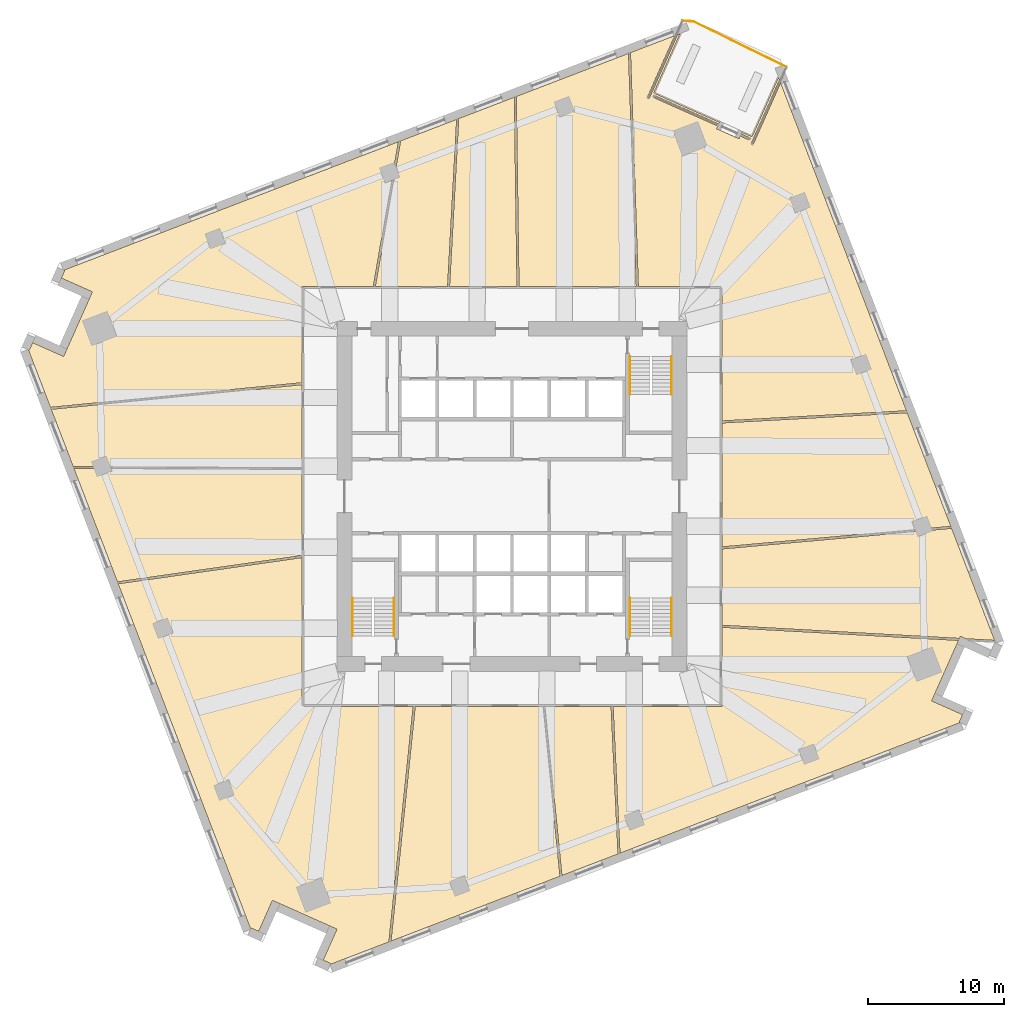
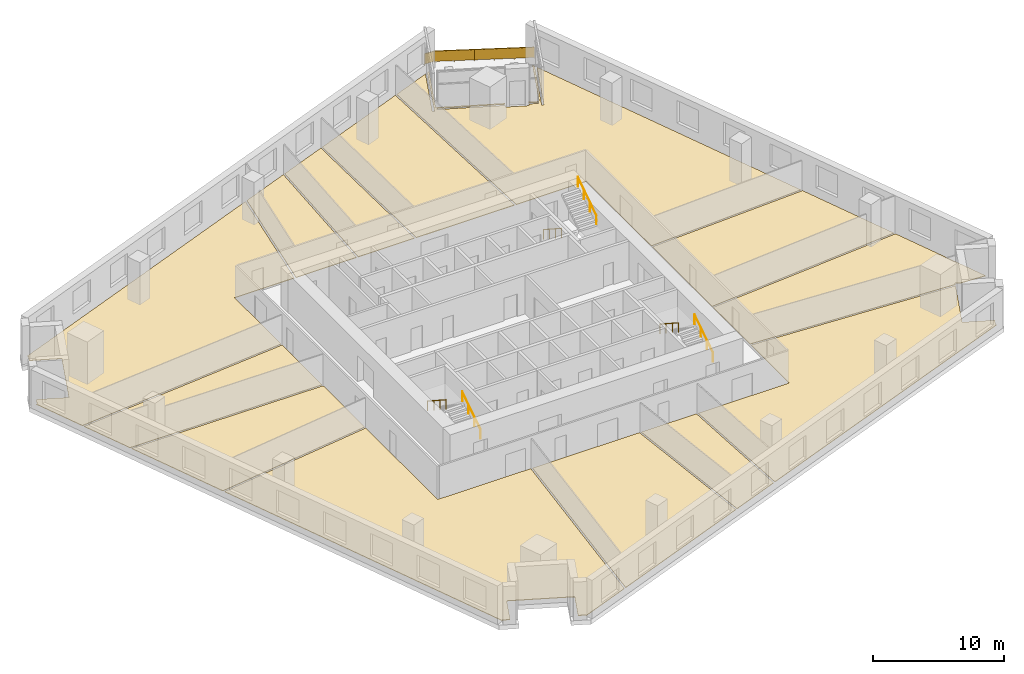
# One storey, part 13 of 14: 13 coverings, 7 railings.
"""IFC4 building model written with IfcOpenShell, lengths in metres."""

from ifc_helpers import new_model, si_unit, direction, frame, origin, origin_2d, place, context, subcontext, project, spatial, polyline, rectangle, circle, outline, extrude, material, layer, layer_set, type_object, element, save


model = new_model("IFC4")

# Units and contexts
model_context = context("Model", 3, precision=1e-05, world=origin(), true_north=direction((0.0, 1.0)))
body_context = subcontext(model_context, "Body", "Model", "MODEL_VIEW")
ifc_project = project(units=[si_unit("LENGTHUNIT", "METRE"), si_unit("AREAUNIT", "SQUARE_METRE"), si_unit("VOLUMEUNIT", "CUBIC_METRE"), si_unit("PLANEANGLEUNIT", "RADIAN"), si_unit("MASSUNIT", "GRAM", prefix="KILO")], contexts=[model_context])

# Site, building, storey
site_placement = place(None, origin())
site = spatial("IfcSite", under=ifc_project, at=site_placement, CompositionType="ELEMENT")
building_placement = place(site_placement, origin())
building = spatial("IfcBuilding", under=site, at=building_placement, Name="Dilmun Exchange Tower", CompositionType="ELEMENT")
storey_placement = place(building_placement, frame((0.0, 0.0, 106.10009765625)))
storey = spatial("IfcBuildingStorey", under=building, at=storey_placement, Name="L24", CompositionType="ELEMENT", Elevation=106.10009765625)

# Coverings
ifc_material_1 = material(Name="Carpet floor finish 50")
ifc_layer_1 = layer(ifc_material_1, 0.050048828125)
ifc_layer_set_1 = layer_set([ifc_layer_1], Name="Carpet floor finish 50")
covering_type_1 = type_object("IfcCoveringType", Name="Carpet floor finish 50", PredefinedType="FLOORING", material=ifc_layer_set_1)
covering_1_placement = place(storey_placement, origin())
element("IfcCovering", 1, at=covering_1_placement, inside=storey, type_object=covering_type_1, Name="Carpet floor finish 50 Break-out lounge 1", PredefinedType="FLOORING", context=body_context, shape_type="SweptSolid", body=[
    extrude(outline(polyline([(-15.47509765625, 1.974609375), (-15.47509765625, -4.361083984375), (-29.07177734375, -6.298583984375), (-32.278076171875, 2.05419921875), (-15.47509765625, 1.974609375)])), origin(), (0.0, 0.0, 1.0), 0.0498046875),
])
covering_2_placement = place(storey_placement, origin())
element("IfcCovering", 2, at=covering_2_placement, inside=storey, type_object=covering_type_1, Name="Carpet floor finish 50 Open office 1", PredefinedType="FLOORING", context=body_context, shape_type="SweptSolid", body=[
    extrude(outline(polyline([(-10.220947265625, 15.47509765625), (-15.47509765625, 15.47509765625), (-15.47509765625, 8.377197265625), (-34.0078125, 6.56005859375), (-35.635498046875, 10.800537109375), (-35.570556640625, 10.771728515625), (-35.570556640625, 10.771484375), (-35.5703125, 10.771484375), (-35.570068359375, 10.771484375), (-35.56982421875, 10.771484375), (-35.569580078125, 10.771484375), (-35.569580078125, 10.771484375), (-35.5693359375, 10.771484375), (-35.569091796875, 10.771484375), (-35.56884765625, 10.771728515625), (-35.56884765625, 10.771728515625), (-35.568603515625, 10.77197265625), (-35.568603515625, 10.77197265625), (-35.568359375, 10.772216796875), (-35.568115234375, 10.772216796875), (-35.568115234375, 10.7724609375), (-35.568115234375, 10.772705078125), (-35.3203125, 11.329345703125), (-33.0380859375, 10.313232421875), (-33.0380859375, 10.31298828125), (-33.037841796875, 10.31298828125), (-33.03759765625, 10.31298828125), (-33.037353515625, 10.31298828125), (-33.037109375, 10.31298828125), (-33.037109375, 10.31298828125), (-33.036865234375, 10.31298828125), (-33.03662109375, 10.313232421875), (-33.036376953125, 10.313232421875), (-33.036376953125, 10.313232421875), (-33.0361328125, 10.3134765625), (-33.035888671875, 10.313720703125), (-33.035888671875, 10.313720703125), (-33.03564453125, 10.31396484375), (-33.03564453125, 10.31396484375), (-33.035400390625, 10.314208984375), (-32.79150390625, 10.8623046875), (-32.79150390625, 10.862548828125), (-32.791259765625, 10.86279296875), (-32.791259765625, 10.86279296875), (-31.16455078125, 14.5166015625), (-31.164306640625, 14.5166015625), (-31.164306640625, 14.516845703125), (-31.164306640625, 14.51708984375), (-31.164306640625, 14.51708984375), (-30.920654296875, 15.064697265625), (-30.92041015625, 15.06494140625), (-30.92041015625, 15.065185546875), (-30.92041015625, 15.065185546875), (-30.92041015625, 15.0654296875), (-30.92041015625, 15.065673828125), (-30.92041015625, 15.06591796875), (-30.92041015625, 15.066162109375), (-30.92041015625, 15.06640625), (-30.920654296875, 15.06640625), (-30.920654296875, 15.066650390625), (-30.9208984375, 15.06689453125), (-30.9208984375, 15.06689453125), (-30.921142578125, 15.067138671875), (-30.921142578125, 15.067138671875), (-30.92138671875, 15.0673828125), (-30.921630859375, 15.0673828125), (-33.20361328125, 16.08349609375), (-32.955810546875, 16.639892578125), (-32.95556640625, 16.64013671875), (-32.95556640625, 16.640380859375), (-32.95556640625, 16.640380859375), (-32.95556640625, 16.640625), (-32.95556640625, 16.640869140625), (-32.95556640625, 16.64111328125), (-32.95556640625, 16.641357421875), (-32.955810546875, 16.6416015625), (-32.955810546875, 16.6416015625), (-32.955810546875, 16.641845703125), (-32.9560546875, 16.64208984375), (-32.9560546875, 16.64208984375), (-32.956298828125, 16.642333984375), (-32.956298828125, 16.642333984375), (-32.95654296875, 16.642578125), (-32.956787109375, 16.642578125), (-33.021484375, 16.67138671875), (-8.367431640625, 26.13525390625), (-10.220947265625, 15.47509765625)])), origin(), (0.0, 0.0, 1.0), 0.0498046875),
])
covering_3_placement = place(storey_placement, origin())
element("IfcCovering", 3, at=covering_3_placement, inside=storey, type_object=covering_type_1, Name="Carpet floor finish 50 Open office 2", PredefinedType="FLOORING", context=body_context, shape_type="SweptSolid", body=[
    extrude(outline(polyline([(-15.47509765625, -4.5126953125), (-15.47509765625, -15.47509765625), (-7.280517578125, -15.47509765625), (-9.0712890625, -32.829345703125), (-13.384521484375, -34.485107421875), (-13.355712890625, -34.420166015625), (-13.35546875, -34.420166015625), (-13.35546875, -34.419921875), (-13.35546875, -34.419677734375), (-13.35546875, -34.41943359375), (-13.35546875, -34.419189453125), (-13.35546875, -34.419189453125), (-13.35546875, -34.4189453125), (-13.35546875, -34.418701171875), (-13.355712890625, -34.41845703125), (-13.355712890625, -34.41845703125), (-13.355712890625, -34.418212890625), (-13.35595703125, -34.418212890625), (-13.356201171875, -34.41796875), (-13.356201171875, -34.417724609375), (-13.3564453125, -34.417724609375), (-13.356689453125, -34.41748046875), (-13.9130859375, -34.169921875), (-12.897216796875, -31.8876953125), (-12.89697265625, -31.8876953125), (-12.89697265625, -31.887451171875), (-12.89697265625, -31.88720703125), (-12.89697265625, -31.886962890625), (-12.89697265625, -31.88671875), (-12.89697265625, -31.88671875), (-12.89697265625, -31.886474609375), (-12.897216796875, -31.88623046875), (-12.897216796875, -31.885986328125), (-12.897216796875, -31.885986328125), (-12.8974609375, -31.8857421875), (-12.8974609375, -31.885498046875), (-12.897705078125, -31.885498046875), (-12.897705078125, -31.88525390625), (-12.89794921875, -31.88525390625), (-12.898193359375, -31.885009765625), (-13.4462890625, -31.64111328125), (-13.4462890625, -31.64111328125), (-13.446533203125, -31.640869140625), (-13.44677734375, -31.640869140625), (-17.10009765625, -30.01416015625), (-17.10009765625, -30.01416015625), (-17.100341796875, -30.01416015625), (-17.6484375, -29.77001953125), (-17.648681640625, -29.77001953125), (-17.64892578125, -29.77001953125), (-17.649169921875, -29.77001953125), (-17.6494140625, -29.77001953125), (-17.6494140625, -29.77001953125), (-17.649658203125, -29.77001953125), (-17.64990234375, -29.77001953125), (-17.650146484375, -29.77001953125), (-17.650390625, -29.77001953125), (-17.650390625, -29.770263671875), (-17.650634765625, -29.770263671875), (-17.650634765625, -29.7705078125), (-17.65087890625, -29.7705078125), (-17.65087890625, -29.770751953125), (-17.651123046875, -29.77099609375), (-17.651123046875, -29.77099609375), (-18.667236328125, -32.052978515625), (-19.223876953125, -31.805419921875), (-19.22412109375, -31.80517578125), (-19.22412109375, -31.80517578125), (-19.224365234375, -31.80517578125), (-19.224609375, -31.80517578125), (-19.224853515625, -31.80517578125), (-19.22509765625, -31.80517578125), (-19.22509765625, -31.80517578125), (-19.225341796875, -31.805419921875), (-19.2255859375, -31.805419921875), (-19.2255859375, -31.805419921875), (-19.225830078125, -31.8056640625), (-19.22607421875, -31.8056640625), (-19.226318359375, -31.805908203125), (-19.226318359375, -31.805908203125), (-19.226318359375, -31.80615234375), (-19.2265625, -31.806396484375), (-19.25537109375, -31.87109375), (-29.0166015625, -6.442138671875), (-15.47509765625, -4.5126953125)])), origin(), (0.0, 0.0, 1.0), 0.0498046875),
])
covering_4_placement = place(storey_placement, origin())
element("IfcCovering", 4, at=covering_4_placement, inside=storey, type_object=covering_type_1, Name="Carpet floor finish 50 Analyst office 1", PredefinedType="FLOORING", context=body_context, shape_type="SweptSolid", body=[
    extrude(outline(polyline([(-7.1298828125, -15.47509765625), (2.284423828125, -15.47509765625), (3.534912109375, -27.990234375), (-8.914306640625, -32.76904296875), (-7.1298828125, -15.47509765625)])), origin(), (0.0, 0.0, 1.0), 0.0498046875),
])
covering_5_placement = place(storey_placement, origin())
element("IfcCovering", 5, at=covering_5_placement, inside=storey, type_object=covering_type_1, Name="Carpet floor finish 50 Break-out lounge 2", PredefinedType="FLOORING", context=body_context, shape_type="SweptSolid", body=[
    extrude(outline(polyline([(0.36767578125, 15.47509765625), (-4.597412109375, 15.47509765625), (-3.9248046875, 27.8408203125), (0.16943359375, 29.412353515625), (0.36767578125, 15.47509765625)])), origin(), (0.0, 0.0, 1.0), 0.0498046875),
])
covering_6_placement = place(storey_placement, origin())
element("IfcCovering", 6, at=covering_6_placement, inside=storey, type_object=covering_type_1, Name="Carpet floor finish 50 Analyst office 2", PredefinedType="FLOORING", context=body_context, shape_type="SweptSolid", body=[
    extrude(outline(polyline([(0.318603515625, 29.469482421875), (8.58447265625, 32.642578125), (9.15966796875, 15.47509765625), (0.517578125, 15.47509765625), (0.318603515625, 29.469482421875)])), origin(), (0.0, 0.0, 1.0), 0.0498046875),
])
covering_7_placement = place(storey_placement, origin())
element("IfcCovering", 7, at=covering_7_placement, inside=storey, type_object=covering_type_1, Name="Carpet floor finish 50 Garden lounge", PredefinedType="FLOORING", context=body_context, shape_type="SweptSolid", body=[
    extrude(outline(polyline([(10.44287109375, 29.72412109375), (15.295654296875, 27.5634765625), (15.2373046875, 27.4326171875), (10.453125, 29.562744140625), (10.452880859375, 29.56298828125), (10.452880859375, 29.56298828125), (10.45263671875, 29.56298828125), (10.452392578125, 29.56298828125), (10.4521484375, 29.56298828125), (10.451904296875, 29.56298828125), (10.451904296875, 29.56298828125), (10.45166015625, 29.56298828125), (10.451416015625, 29.562744140625), (10.451416015625, 29.562744140625), (10.451171875, 29.5625), (10.450927734375, 29.5625), (10.45068359375, 29.562255859375), (10.45068359375, 29.56201171875), (10.45068359375, 29.56201171875), (10.450439453125, 29.561767578125), (10.385498046875, 29.41552734375), (10.385498046875, 29.415283203125), (10.38525390625, 29.415283203125), (10.38525390625, 29.4150390625), (10.38525390625, 29.414794921875), (10.38525390625, 29.414794921875), (10.38525390625, 29.41455078125), (10.38525390625, 29.414306640625), (10.385498046875, 29.4140625), (10.385498046875, 29.413818359375), (10.385498046875, 29.413818359375), (10.3857421875, 29.41357421875), (10.3857421875, 29.413330078125), (10.385986328125, 29.413330078125), (10.385986328125, 29.4130859375), (10.38623046875, 29.4130859375), (10.386474609375, 29.4130859375), (15.170654296875, 27.282958984375), (15.08203125, 27.083740234375), (15.08203125, 27.08349609375), (15.081787109375, 27.08349609375), (15.081787109375, 27.083251953125), (15.081787109375, 27.0830078125), (15.081787109375, 27.082763671875), (15.081787109375, 27.08251953125), (15.08203125, 27.08251953125), (15.08203125, 27.082275390625), (15.08203125, 27.08203125), (15.082275390625, 27.081787109375), (15.082275390625, 27.081787109375), (15.08251953125, 27.08154296875), (15.08251953125, 27.081298828125), (15.082763671875, 27.081298828125), (15.0830078125, 27.081298828125), (15.0830078125, 27.0810546875), (16.7275390625, 26.34912109375), (16.727783203125, 26.348876953125), (16.727783203125, 26.348876953125), (16.72802734375, 26.348876953125), (16.728271484375, 26.348876953125), (16.728515625, 26.348876953125), (16.728515625, 26.348876953125), (16.728759765625, 26.348876953125), (16.72900390625, 26.34912109375), (16.729248046875, 26.34912109375), (16.7294921875, 26.34912109375), (16.7294921875, 26.349365234375), (16.729736328125, 26.349365234375), (16.729736328125, 26.349609375), (16.72998046875, 26.349609375), (16.72998046875, 26.349853515625), (16.72998046875, 26.35009765625), (16.81884765625, 26.54931640625), (17.4921875, 26.249267578125), (17.4921875, 26.249267578125), (17.492431640625, 26.249267578125), (17.49267578125, 26.2490234375), (17.492919921875, 26.2490234375), (17.4931640625, 26.2490234375), (17.493408203125, 26.2490234375), (17.493408203125, 26.249267578125), (17.49365234375, 26.249267578125), (17.493896484375, 26.249267578125), (17.493896484375, 26.24951171875), (17.494140625, 26.24951171875), (17.494384765625, 26.249755859375), (17.494384765625, 26.249755859375), (17.49462890625, 26.25), (17.49462890625, 26.25), (17.494873046875, 26.250244140625), (17.559814453125, 26.396484375), (17.559814453125, 26.396484375), (17.56005859375, 26.396728515625), (17.56005859375, 26.39697265625), (17.56005859375, 26.397216796875), (17.56005859375, 26.3974609375), (17.56005859375, 26.397705078125), (17.56005859375, 26.397705078125), (17.559814453125, 26.39794921875), (17.559814453125, 26.398193359375), (17.559814453125, 26.398193359375), (17.5595703125, 26.3984375), (17.5595703125, 26.398681640625), (17.559326171875, 26.398681640625), (17.55908203125, 26.39892578125), (17.55908203125, 26.39892578125), (17.558837890625, 26.399169921875), (16.885498046875, 26.698974609375), (16.943603515625, 26.82958984375), (17.685546875, 26.499267578125), (19.635986328125, 30.8798828125), (19.70849609375, 30.691162109375), (17.6025390625, 25.961669921875), (17.6025390625, 25.96142578125), (17.6025390625, 25.961181640625), (17.602294921875, 25.9609375), (17.602294921875, 25.960693359375), (17.602294921875, 25.960693359375), (17.602294921875, 25.96044921875), (17.6025390625, 25.960205078125), (17.6025390625, 25.9599609375), (17.6025390625, 25.959716796875), (17.602783203125, 25.959716796875), (17.602783203125, 25.95947265625), (17.60302734375, 25.95947265625), (17.60302734375, 25.959228515625), (17.603271484375, 25.958984375), (17.603515625, 25.958984375), (17.603515625, 25.958984375), (17.749755859375, 25.893798828125), (17.75, 25.893798828125), (17.75, 25.893798828125), (17.750244140625, 25.893798828125), (17.75048828125, 25.893798828125), (17.750732421875, 25.893798828125), (17.7509765625, 25.893798828125), (17.751220703125, 25.893798828125), (17.751220703125, 25.893798828125), (17.75146484375, 25.893798828125), (17.751708984375, 25.89404296875), (17.751708984375, 25.89404296875), (17.751953125, 25.894287109375), (17.752197265625, 25.894287109375), (17.752197265625, 25.89453125), (17.752197265625, 25.894775390625), (17.75244140625, 25.894775390625), (19.79150390625, 30.474609375), (29.06787109375, 6.30908203125), (15.47509765625, 5.560302734375), (15.47509765625, 15.47509765625), (9.309814453125, 15.47509765625), (8.732666015625, 32.699462890625), (11.98779296875, 33.948974609375), (9.94873046875, 29.369384765625), (9.94873046875, 29.369140625), (9.94873046875, 29.368896484375), (9.948486328125, 29.36865234375), (9.948486328125, 29.368408203125), (9.948486328125, 29.368408203125), (9.948486328125, 29.3681640625), (9.94873046875, 29.367919921875), (9.94873046875, 29.36767578125), (9.94873046875, 29.367431640625), (9.948974609375, 29.367431640625), (9.948974609375, 29.3671875), (9.94921875, 29.3671875), (9.94921875, 29.366943359375), (9.949462890625, 29.36669921875), (9.94970703125, 29.36669921875), (9.94970703125, 29.36669921875), (10.095947265625, 29.301513671875), (10.09619140625, 29.301513671875), (10.09619140625, 29.301513671875), (10.096435546875, 29.301513671875), (10.0966796875, 29.301513671875), (10.096923828125, 29.301513671875), (10.09716796875, 29.301513671875), (10.097412109375, 29.301513671875), (10.097412109375, 29.301513671875), (10.09765625, 29.301513671875), (10.097900390625, 29.3017578125), (10.097900390625, 29.3017578125), (10.09814453125, 29.302001953125), (10.098388671875, 29.302001953125), (10.098388671875, 29.30224609375), (10.098388671875, 29.302490234375), (10.0986328125, 29.302490234375), (12.204345703125, 34.031982421875), (12.39306640625, 34.1044921875), (10.44287109375, 29.72412109375)])), origin(), (0.0, 0.0, 1.0), 0.0498046875),
])
covering_8_placement = place(storey_placement, origin())
element("IfcCovering", 8, at=covering_8_placement, inside=storey, type_object=covering_type_1, Name="Carpet floor finish 50 Open office 3", PredefinedType="FLOORING", context=body_context, shape_type="SweptSolid", body=[
    extrude(outline(polyline([(7.44921875, -15.47509765625), (15.47509765625, -15.47509765625), (15.47509765625, -9.64599609375), (32.9033203125, -10.611328125), (32.79150390625, -10.8623046875), (32.79150390625, -10.862548828125), (32.791259765625, -10.86279296875), (32.791259765625, -10.86279296875), (31.16455078125, -14.5166015625), (31.164306640625, -14.5166015625), (31.164306640625, -14.516845703125), (31.164306640625, -14.51708984375), (31.164306640625, -14.51708984375), (30.920654296875, -15.064697265625), (30.92041015625, -15.06494140625), (30.92041015625, -15.065185546875), (30.92041015625, -15.065185546875), (30.92041015625, -15.0654296875), (30.92041015625, -15.065673828125), (30.92041015625, -15.06591796875), (30.92041015625, -15.066162109375), (30.92041015625, -15.06640625), (30.920654296875, -15.06640625), (30.920654296875, -15.066650390625), (30.9208984375, -15.06689453125), (30.9208984375, -15.06689453125), (30.921142578125, -15.067138671875), (30.921142578125, -15.067138671875), (30.92138671875, -15.0673828125), (30.921630859375, -15.0673828125), (33.20361328125, -16.08349609375), (32.955810546875, -16.639892578125), (32.95556640625, -16.64013671875), (32.95556640625, -16.640380859375), (32.95556640625, -16.640380859375), (32.95556640625, -16.640625), (32.95556640625, -16.640869140625), (32.95556640625, -16.64111328125), (32.95556640625, -16.641357421875), (32.955810546875, -16.6416015625), (32.955810546875, -16.6416015625), (32.955810546875, -16.641845703125), (32.9560546875, -16.64208984375), (32.9560546875, -16.64208984375), (32.956298828125, -16.642333984375), (32.956298828125, -16.642333984375), (32.95654296875, -16.642578125), (32.956787109375, -16.642578125), (33.021484375, -16.67138671875), (7.956787109375, -26.292724609375), (7.44921875, -15.47509765625)])), origin(), (0.0, 0.0, 1.0), 0.0498046875),
])
covering_9_placement = place(storey_placement, origin())
element("IfcCovering", 9, at=covering_9_placement, inside=storey, type_object=covering_type_1, Name="Carpet floor finish 50 Fund manager office", PredefinedType="FLOORING", context=body_context, shape_type="SweptSolid", body=[
    extrude(outline(polyline([(15.47509765625, -3.72119140625), (15.47509765625, 5.41015625), (29.124267578125, 6.161865234375), (32.33740234375, -2.20849609375), (15.47509765625, -3.72119140625)])), origin(), (0.0, 0.0, 1.0), 0.0498046875),
])
covering_10_placement = place(storey_placement, origin())
element("IfcCovering", 10, at=covering_10_placement, inside=storey, type_object=covering_type_1, Name="Carpet floor finish 50 Break-out lounge 3", PredefinedType="FLOORING", context=body_context, shape_type="SweptSolid", body=[
    extrude(outline(polyline([(33.43603515625, -10.490478515625), (33.0380859375, -10.313232421875), (33.0380859375, -10.31298828125), (33.037841796875, -10.31298828125), (33.03759765625, -10.31298828125), (33.037353515625, -10.31298828125), (33.037109375, -10.31298828125), (33.037109375, -10.31298828125), (33.036865234375, -10.31298828125), (33.03662109375, -10.313232421875), (33.036376953125, -10.313232421875), (33.036376953125, -10.313232421875), (33.0361328125, -10.3134765625), (33.035888671875, -10.313720703125), (33.035888671875, -10.313720703125), (33.03564453125, -10.31396484375), (33.03564453125, -10.31396484375), (33.035400390625, -10.314208984375), (32.968505859375, -10.464599609375), (15.47509765625, -9.495849609375), (15.47509765625, -3.871826171875), (32.393310546875, -2.35400390625), (35.5615234375, -10.608154296875), (33.43603515625, -10.490478515625)])), origin(), (0.0, 0.0, 1.0), 0.0498046875),
])

# Railings
ifc_material_2 = material(Name="Stainless steel", Category="steel")
railing_type_1 = type_object("IfcRailingType", Name="Stair handrail 900", PredefinedType="HANDRAIL", material=ifc_material_2)
railing_1_placement = place(storey_placement, frame((8.699951171875, 10.300048828125, 0.181640625)))
element("IfcRailing", 11, at=railing_1_placement, inside=storey, type_object=railing_type_1, Name="L24 ST1 stair handrail 1", PredefinedType="HANDRAIL", context=body_context, shape_type="SweptSolid", body=[
    extrude(circle(Radius=0.02392578125, at=origin_2d()), frame((0.0, 0.0, 0.8759765625), z_axis=(0.0, -0.838672427954, 0.544636170843), x_axis=(1.0, 0.0, 0.0)), (0.0, 0.0, 1.0), 3.338623046875),
    extrude(circle(Radius=0.02099609375, at=origin_2d()), origin(), (0.0, 0.0, 1.0), 0.851806640625),
    extrude(circle(Radius=0.02099609375, at=origin_2d()), frame((0.0, -0.933349609375, 0.606201171875)), (0.0, 0.0, 1.0), 0.851806640625),
    extrude(circle(Radius=0.02099609375, at=origin_2d()), frame((0.0, -1.86669921875, 1.212158203125)), (0.0, 0.0, 1.0), 0.851806640625),
    extrude(circle(Radius=0.02099609375, at=origin_2d()), frame((0.0, -2.800048828125, 1.818359375)), (0.0, 0.0, 1.0), 0.851806640625),
])
for number, where, name in (
    (12, (11.75, 7.5, 2.181640625), "L24 ST1 stair handrail 2"),
    (13, (-8.699951171875, -10.300048828125, 0.181640625), "L24 ST2 stair handrail 1"),
):
    element("IfcRailing", number, at=place(storey_placement, frame(where)), inside=storey, type_object=railing_type_1, Name=name, PredefinedType="HANDRAIL", context=body_context, shape_type="SweptSolid", body=[
        extrude(circle(Radius=0.02392578125, at=origin_2d()), frame((0.0, 0.0, 0.8759765625), z_axis=(0.0, 0.838672427954, 0.544636170843), x_axis=(-1.0, 0.0, 0.0)), (0.0, 0.0, 1.0), 3.338623046875),
        extrude(circle(Radius=0.02099609375, at=origin_2d()), origin(), (0.0, 0.0, 1.0), 0.851806640625),
        extrude(circle(Radius=0.02099609375, at=origin_2d()), frame((0.0, 0.933349609375, 0.606201171875)), (0.0, 0.0, 1.0), 0.851806640625),
        extrude(circle(Radius=0.02099609375, at=origin_2d()), frame((0.0, 1.86669921875, 1.212158203125)), (0.0, 0.0, 1.0), 0.851806640625),
        extrude(circle(Radius=0.02099609375, at=origin_2d()), frame((0.0, 2.800048828125, 1.818359375)), (0.0, 0.0, 1.0), 0.851806640625),
    ])
railing_2_placement = place(storey_placement, frame((-11.75, -7.5, 2.181640625)))
element("IfcRailing", 14, at=railing_2_placement, inside=storey, type_object=railing_type_1, Name="L24 ST2 stair handrail 2", PredefinedType="HANDRAIL", context=body_context, shape_type="SweptSolid", body=[
    extrude(circle(Radius=0.02392578125, at=origin_2d()), frame((0.0, 0.0, 0.8759765625), z_axis=(0.0, -0.838672427954, 0.544636170843), x_axis=(1.0, 0.0, 0.0)), (0.0, 0.0, 1.0), 3.338623046875),
    extrude(circle(Radius=0.02099609375, at=origin_2d()), origin(), (0.0, 0.0, 1.0), 0.851806640625),
    extrude(circle(Radius=0.02099609375, at=origin_2d()), frame((0.0, -0.933349609375, 0.606201171875)), (0.0, 0.0, 1.0), 0.851806640625),
    extrude(circle(Radius=0.02099609375, at=origin_2d()), frame((0.0, -1.86669921875, 1.212158203125)), (0.0, 0.0, 1.0), 0.851806640625),
    extrude(circle(Radius=0.02099609375, at=origin_2d()), frame((0.0, -2.800048828125, 1.818359375)), (0.0, 0.0, 1.0), 0.851806640625),
])
railing_3_placement = place(storey_placement, frame((11.75, -10.300048828125, 0.181640625)))
element("IfcRailing", 15, at=railing_3_placement, inside=storey, type_object=railing_type_1, Name="L24 ST3 stair handrail 1", PredefinedType="HANDRAIL", context=body_context, shape_type="SweptSolid", body=[
    extrude(circle(Radius=0.02392578125, at=origin_2d()), frame((0.0, 0.0, 0.8759765625), z_axis=(0.0, 0.838672427954, 0.544636170843), x_axis=(-1.0, 0.0, 0.0)), (0.0, 0.0, 1.0), 3.338623046875),
    extrude(circle(Radius=0.02099609375, at=origin_2d()), origin(), (0.0, 0.0, 1.0), 0.851806640625),
    extrude(circle(Radius=0.02099609375, at=origin_2d()), frame((0.0, 0.933349609375, 0.606201171875)), (0.0, 0.0, 1.0), 0.851806640625),
    extrude(circle(Radius=0.02099609375, at=origin_2d()), frame((0.0, 1.86669921875, 1.212158203125)), (0.0, 0.0, 1.0), 0.851806640625),
    extrude(circle(Radius=0.02099609375, at=origin_2d()), frame((0.0, 2.800048828125, 1.818359375)), (0.0, 0.0, 1.0), 0.851806640625),
])
railing_4_placement = place(storey_placement, frame((8.699951171875, -7.5, 2.181640625)))
element("IfcRailing", 16, at=railing_4_placement, inside=storey, type_object=railing_type_1, Name="L24 ST3 stair handrail 2", PredefinedType="HANDRAIL", context=body_context, shape_type="SweptSolid", body=[
    extrude(circle(Radius=0.02392578125, at=origin_2d()), frame((0.0, 0.0, 0.8759765625), z_axis=(0.0, -0.838672427954, 0.544636170843), x_axis=(1.0, 0.0, 0.0)), (0.0, 0.0, 1.0), 3.338623046875),
    extrude(circle(Radius=0.02099609375, at=origin_2d()), origin(), (0.0, 0.0, 1.0), 0.851806640625),
    extrude(circle(Radius=0.02099609375, at=origin_2d()), frame((0.0, -0.933349609375, 0.606201171875)), (0.0, 0.0, 1.0), 0.851806640625),
    extrude(circle(Radius=0.02099609375, at=origin_2d()), frame((0.0, -1.86669921875, 1.212158203125)), (0.0, 0.0, 1.0), 0.851806640625),
    extrude(circle(Radius=0.02099609375, at=origin_2d()), frame((0.0, -2.800048828125, 1.818359375)), (0.0, 0.0, 1.0), 0.851806640625),
])

# Covering
ifc_material_3 = material(Name="Stone floor finish 50", Category="masonry")
ifc_layer_2 = layer(ifc_material_3, 0.050048828125)
ifc_layer_set_2 = layer_set([ifc_layer_2], Name="Stone floor finish 50")
covering_type_2 = type_object("IfcCoveringType", Name="Stone floor finish 50", PredefinedType="FLOORING", material=ifc_layer_set_2)
covering_11_placement = place(storey_placement, origin())
element("IfcCovering", 17, at=covering_11_placement, inside=storey, type_object=covering_type_2, Name="Stone floor finish 50 Reception", PredefinedType="FLOORING", context=body_context, shape_type="SweptSolid", body=[
    extrude(outline(polyline([(-15.47509765625, 2.12451171875), (-32.335693359375, 2.20458984375), (-33.951904296875, 6.414794921875), (-15.47509765625, 8.2265625), (-15.47509765625, 2.12451171875)])), origin(), (0.0, 0.0, 1.0), 0.0498046875),
])

# Railing
railing_type_2 = type_object("IfcRailingType", Name="Terrace guard 1100 stainless steel", PredefinedType="GUARDRAIL", material=ifc_material_2)
railing_5_placement = place(storey_placement, frame((12.564453125, 35.042236328125, 0.0)))
element("IfcRailing", 18, at=railing_5_placement, inside=storey, type_object=railing_type_2, Name="Terrace guard 1", PredefinedType="GUARDRAIL", context=body_context, shape_type="SweptSolid", body=[
    extrude(circle(Radius=0.02392578125, at=origin_2d()), frame((0.0, 0.0, 1.076171875), z_axis=(0.997934852609, -0.064234180534, 0.0), x_axis=(0.064234180534, 0.997934852609, 0.0)), (0.0, 0.0, 1.0), 0.79443359375),
    extrude(rectangle(XDim=0.011962890625, YDim=0.951904296875, at=origin_2d()), frame((0.0, 0.0, 0.576171875), z_axis=(0.997934852609, -0.064234180534, 0.0), x_axis=(0.064234180534, 0.997934852609, 0.0)), (0.0, 0.0, 1.0), 0.79443359375),
    extrude(circle(Radius=0.02392578125, at=origin_2d()), frame((0.792724609375, -0.051025390625, 1.076171875), z_axis=(0.898261288441, -0.43946178183, 0.0), x_axis=(0.43946178183, 0.898261288441, 0.0)), (0.0, 0.0, 1.0), 7.63818359375),
    extrude(rectangle(XDim=0.011962890625, YDim=0.951904296875, at=origin_2d()), frame((0.792724609375, -0.051025390625, 0.576171875), z_axis=(0.898261288441, -0.43946178183, 0.0), x_axis=(0.43946178183, 0.898261288441, 0.0)), (0.0, 0.0, 1.0), 7.63818359375),
    extrude(circle(Radius=0.02099609375, at=origin_2d()), origin(), (0.0, 0.0, 1.0), 1.052001953125),
    extrude(circle(Radius=0.02099609375, at=origin_2d()), frame((0.792724609375, -0.051025390625, 0.0)), (0.0, 0.0, 1.0), 1.052001953125),
    extrude(circle(Radius=0.02099609375, at=origin_2d()), frame((2.1650390625, -0.722412109375, 0.0)), (0.0, 0.0, 1.0), 1.052001953125),
    extrude(circle(Radius=0.02099609375, at=origin_2d()), frame((3.537109375, -1.393798828125, 0.0)), (0.0, 0.0, 1.0), 1.052001953125),
    extrude(circle(Radius=0.02099609375, at=origin_2d()), frame((4.909423828125, -2.06494140625, 0.0)), (0.0, 0.0, 1.0), 1.052001953125),
    extrude(circle(Radius=0.02099609375, at=origin_2d()), frame((6.281494140625, -2.736328125, 0.0)), (0.0, 0.0, 1.0), 1.052001953125),
    extrude(circle(Radius=0.02099609375, at=origin_2d()), frame((7.65380859375, -3.40771484375, 0.0)), (0.0, 0.0, 1.0), 1.052001953125),
])

# Coverings
ifc_material_4 = material(Name="Tile floor finish 50")
ifc_layer_3 = layer(ifc_material_4, 0.050048828125)
ifc_layer_set_3 = layer_set([ifc_layer_3], Name="Tile floor finish 50")
covering_type_3 = type_object("IfcCoveringType", Name="Tile floor finish 50", PredefinedType="FLOORING", material=ifc_layer_set_3)
covering_12_placement = place(storey_placement, origin())
element("IfcCovering", 19, at=covering_12_placement, inside=storey, type_object=covering_type_3, Name="Tile floor finish 50 Pantry 1", PredefinedType="FLOORING", context=body_context, shape_type="SweptSolid", body=[
    extrude(outline(polyline([(-10.068603515625, 15.47509765625), (-8.204345703125, 26.197998046875), (-4.078125, 27.78173828125), (-4.74755859375, 15.47509765625), (-10.068603515625, 15.47509765625)])), origin(), (0.0, 0.0, 1.0), 0.0498046875),
])
covering_13_placement = place(storey_placement, origin())
element("IfcCovering", 20, at=covering_13_placement, inside=storey, type_object=covering_type_3, Name="Tile floor finish 50 Pantry 2", PredefinedType="FLOORING", context=body_context, shape_type="SweptSolid", body=[
    extrude(outline(polyline([(2.435302734375, -15.47509765625), (7.299072265625, -15.47509765625), (7.809326171875, -26.349609375), (3.68017578125, -27.9345703125), (2.435302734375, -15.47509765625)])), origin(), (0.0, 0.0, 1.0), 0.0498046875),
])

save(model, "model.ifc")
